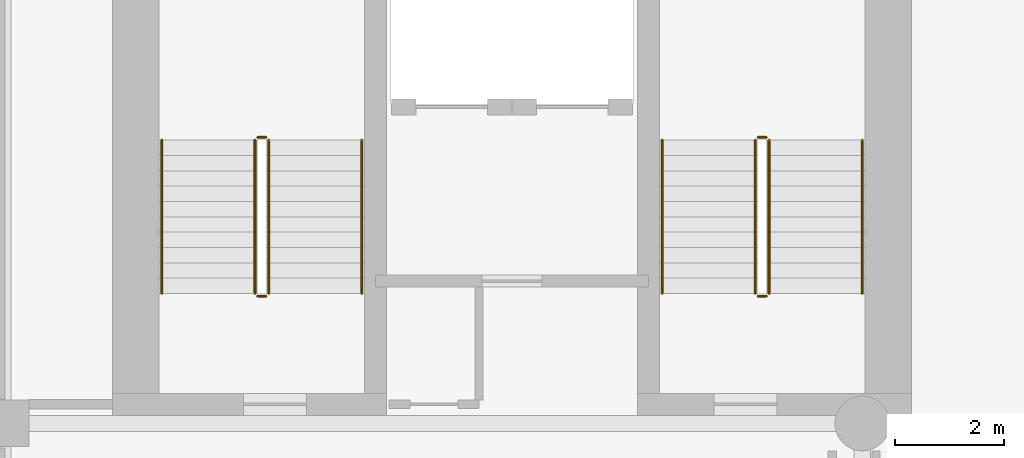
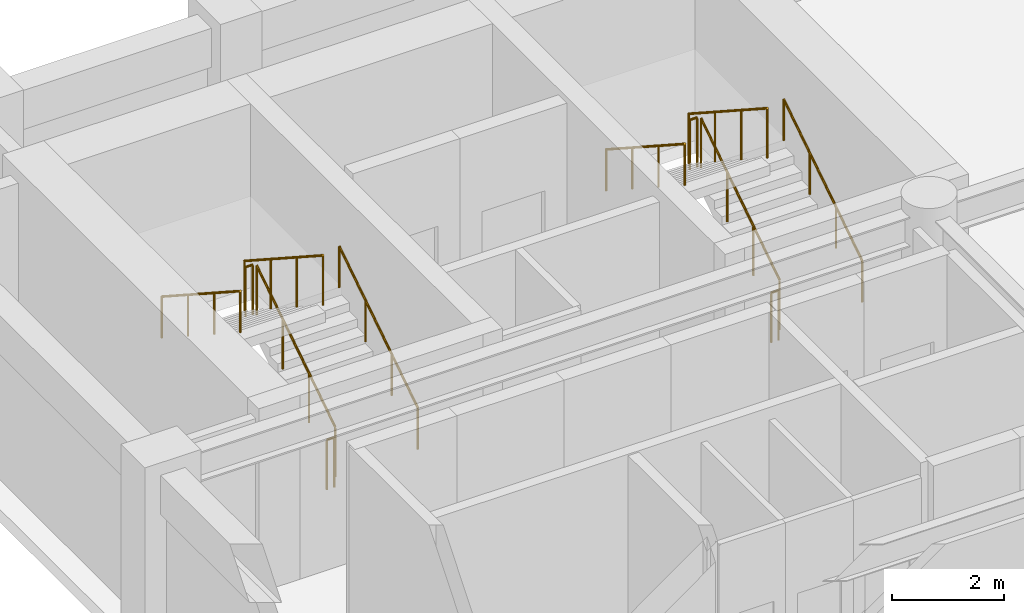
# One storey, part 7 of 8: 12 railings.
"""IFC4 building model written with IfcOpenShell, lengths in metres."""

import ifcopenshell
import ifcopenshell.guid

model = None  # the IFC model being written
_history = None  # IfcOwnerHistory: only IFC2X3 demands one
_inside = {}  # id of a spatial element -> (the spatial element, [elements in it])
_under = {}  # id of a project, library or spatial element -> (it, [spatial elements below it])
_declared = {}  # id of a project -> (the project, [libraries it declares])
_typed = {}  # id of a type object -> (the type object, [elements of that type])
_made_of = {}  # id of a material, layer set ... -> (it, [elements and type objects made of it])


def new_model(schema):
    """Start an empty IFC model of exactly this schema.

    Asked for "IFC4X3", IfcOpenShell would pick the latest addendum, in which some entities
    have other attributes; the version numbers below select the first issue.
    IFC2X3 requires an IfcOwnerHistory on every rooted entity: one is made here for all.
    """
    global model, _history
    if schema == "IFC4X3":
        model = ifcopenshell.file(schema_version=(4, 3, 0, 0))
    else:
        model = ifcopenshell.file(schema=schema)
    _inside.clear()
    _under.clear()
    _declared.clear()
    _typed.clear()
    _made_of.clear()
    _history = None
    if model.schema == "IFC2X3":
        org = make("IfcOrganization", Name="unknown")
        user = make(
            "IfcPersonAndOrganization",
            ThePerson=make("IfcPerson", FamilyName="unknown"),
            TheOrganization=org,
        )
        app = make(
            "IfcApplication",
            ApplicationDeveloper=org,
            Version="unknown",
            ApplicationFullName="unknown",
            ApplicationIdentifier="unknown",
        )
        _history = make(
            "IfcOwnerHistory",
            OwningUser=user,
            OwningApplication=app,
            ChangeAction="ADDED",
            CreationDate=0,
        )
    return model


def make(cls, **values):
    """One entity of the class cls with the attributes given. An attribute that is None is left unset."""
    return model.create_entity(
        cls, **{name: value for name, value in values.items() if value is not None}
    )


def rooted(cls, **values):
    """An entity with a GlobalId (a new one), such as an element, a storey or a relation."""
    return make(cls, GlobalId=ifcopenshell.guid.new(), OwnerHistory=_history, **values)


def si_unit(unit_type, name, prefix=None):
    """IfcSIUnit, for example si_unit("LENGTHUNIT", "METRE", prefix="MILLI")."""
    return make("IfcSIUnit", UnitType=unit_type, Prefix=prefix, Name=name)


def assignment(units):
    """IfcUnitAssignment: the units of a project."""
    return None if units is None else make("IfcUnitAssignment", Units=units)


def point(xyz):
    """IfcCartesianPoint."""
    return None if xyz is None else make("IfcCartesianPoint", Coordinates=xyz)


def direction(xyz):
    """IfcDirection."""
    return None if xyz is None else make("IfcDirection", DirectionRatios=xyz)


def frame(location, z_axis=None, x_axis=None):
    """IfcAxis2Placement3D, a coordinate frame: its origin and axes. An axis left out is left unset."""
    return make(
        "IfcAxis2Placement3D",
        Location=point(location),
        Axis=direction(z_axis),
        RefDirection=direction(x_axis),
    )


def frame_2d(location, x_axis=None):
    """IfcAxis2Placement2D, a coordinate frame in the plane: its origin and x axis."""
    return make(
        "IfcAxis2Placement2D", Location=point(location), RefDirection=direction(x_axis)
    )


def origin():
    """The frame at (0, 0, 0) with its axes left unset."""
    return frame((0.0, 0.0, 0.0))


def origin_2d():
    """The frame at (0, 0) in the plane with its x axis left unset."""
    return frame_2d((0.0, 0.0))


def place(relative_to, where):
    """IfcLocalPlacement: puts the frame where relative to a parent placement (None: the world)."""
    return make(
        "IfcLocalPlacement", PlacementRelTo=relative_to, RelativePlacement=where
    )


def context(
    kind, dimensions, precision=None, world=None, true_north=None, identifier=None
):
    """IfcGeometricRepresentationContext, for example the 3D "Model" context."""
    return make(
        "IfcGeometricRepresentationContext",
        ContextIdentifier=identifier,
        ContextType=kind,
        CoordinateSpaceDimension=dimensions,
        Precision=precision,
        WorldCoordinateSystem=world,
        TrueNorth=true_north,
    )


def subcontext(parent, identifier, kind, view, scale=None):
    """IfcGeometricRepresentationSubContext, for example "Body" below "Model"."""
    return make(
        "IfcGeometricRepresentationSubContext",
        ContextIdentifier=identifier,
        ContextType=kind,
        ParentContext=parent,
        TargetScale=scale,
        TargetView=view,
    )


def project(units=None, contexts=None):
    """IfcProject with its units and contexts."""
    return rooted(
        "IfcProject",
        Name="project",
        RepresentationContexts=contexts,
        UnitsInContext=assignment(units),
    )


def spatial(cls, under=None, at=None, **own):
    """A site, building, storey or space (cls), placed at a placement, below another one or the project."""
    s = rooted(cls, ObjectPlacement=at, **own)
    if under is not None:
        _under.setdefault(under.id(), (under, []))[1].append(s)
    return s


def profile(cls, at=None, kind="AREA", **sizes):
    """A parametric profile (cls). Its sizes go by their IFC names, for example OverallWidth=200.0."""
    return make(cls, ProfileType=kind, Position=at, **sizes)


def circle(**sizes):
    """IfcCircleProfileDef."""
    return profile("IfcCircleProfileDef", **sizes)


def extrude(swept, where, along, depth):
    """IfcExtrudedAreaSolid: the profile swept, set in the frame where, extruded along a direction by depth."""
    return make(
        "IfcExtrudedAreaSolid",
        SweptArea=swept,
        Position=where,
        ExtrudedDirection=direction(along),
        Depth=depth,
    )


def shape(context_of_items, identifier, shape_type, items):
    """IfcShapeRepresentation: the items that make up one representation, for example the "Body"."""
    return make(
        "IfcShapeRepresentation",
        ContextOfItems=context_of_items,
        RepresentationIdentifier=identifier,
        RepresentationType=shape_type,
        Items=items,
    )


def material(Name=None, Category=None):
    """IfcMaterial."""
    return make("IfcMaterial", Name=Name, Category=Category)


def made_of(thing, what):
    """Note that an element or type object is made of a material, layer set ...; save() writes the relation."""
    if what is not None:
        _made_of.setdefault(what.id(), (what, []))[1].append(thing)
    return thing


def type_object(cls, material=None, **own):
    """A type object (cls), such as IfcWallType, which elements share."""
    return made_of(rooted(cls, **own), material)


def element(
    cls,
    number,
    at=None,
    inside=None,
    cuts=None,
    type_object=None,
    material=None,
    context=None,
    identifier="Body",
    shape_type=None,
    held_by="IfcProductDefinitionShape",
    body=None,
    shapes=None,
    **own,
):
    """One element of the class cls, such as IfcWall. Its Tag is "e" and its number.

    at: its placement. inside: the storey or other place that contains it. cuts: it is an
    opening in that element (IfcRelVoidsElement). A single representation is given by context,
    identifier, shape_type and body (its items); several are given by shapes. held_by: the class
    of the entity that holds the representations. save() writes the other relations.
    """
    e = rooted(cls, Tag="e%d" % number, ObjectPlacement=at, **own)
    if body is not None:
        shapes = [shape(context, identifier, shape_type, body)]
    if shapes is not None:
        e.Representation = make(held_by, Representations=shapes)
    if inside is not None:
        _inside.setdefault(inside.id(), (inside, []))[1].append(e)
    if cuts is not None:
        rooted(
            "IfcRelVoidsElement", RelatingBuildingElement=cuts, RelatedOpeningElement=e
        )
    if type_object is not None:
        _typed.setdefault(type_object.id(), (type_object, []))[1].append(e)
    return made_of(e, material)


def aggregate(whole, parts):
    """IfcRelAggregates: a whole, such as a stair, and the parts it consists of."""
    return rooted("IfcRelAggregates", RelatingObject=whole, RelatedObjects=parts)


def save(model, path):
    """Write the relations noted so far, then the file.

    IfcRelAggregates (storeys below a building ...), IfcRelContainedInSpatialStructure (elements
    in a storey), IfcRelDefinesByType, IfcRelAssociatesMaterial and IfcRelDeclares: one each for
    every whole, place, type object, material and project.
    """
    for whole, parts in _under.values():
        aggregate(whole, parts)
    for where, things in _inside.values():
        rooted(
            "IfcRelContainedInSpatialStructure",
            RelatedElements=things,
            RelatingStructure=where,
        )
    for kind, things in _typed.values():
        rooted("IfcRelDefinesByType", RelatedObjects=things, RelatingType=kind)
    for what, things in _made_of.values():
        rooted("IfcRelAssociatesMaterial", RelatedObjects=things, RelatingMaterial=what)
    for by, libraries in _declared.values():
        rooted("IfcRelDeclares", RelatingContext=by, RelatedDefinitions=libraries)
    model.write(path)


model = new_model("IFC4")

# Units and contexts
model_context = context("Model", 3, precision=1e-05, world=origin(), true_north=direction((0.0, 1.0)))
body_context = subcontext(model_context, "Body", "Model", "MODEL_VIEW")
ifc_project = project(units=[si_unit("LENGTHUNIT", "METRE"), si_unit("AREAUNIT", "SQUARE_METRE"), si_unit("VOLUMEUNIT", "CUBIC_METRE"), si_unit("PLANEANGLEUNIT", "RADIAN"), si_unit("MASSUNIT", "GRAM", prefix="KILO")], contexts=[model_context])

# Site, building, storey
site_placement = place(None, origin())
site = spatial("IfcSite", under=ifc_project, at=site_placement, CompositionType="ELEMENT")
building_placement = place(site_placement, origin())
building = spatial("IfcBuilding", under=site, at=building_placement, Name="Sulina Concourse Tower", CompositionType="ELEMENT")
storey_placement = place(building_placement, frame((0.0, 0.0, 116.60009765625)))
storey = spatial("IfcBuildingStorey", under=building, at=storey_placement, Name="L28", CompositionType="ELEMENT", Elevation=116.60009765625)

# Railings
ifc_material_1 = material(Name="Galvanised steel railing", Category="steel")
railing_type_1 = type_object("IfcRailingType", Name="Core Stair Steel Guardrail 1150mm", PredefinedType="GUARDRAIL", material=ifc_material_1)
railing_1_placement = place(storey_placement, frame((5.554931640625, 36.375, 0.181640625)))
element("IfcRailing", 1, at=railing_1_placement, inside=storey, type_object=railing_type_1, Name="L28 ST-1 stair guard 1", PredefinedType="GUARDRAIL", context=body_context, shape_type="SweptSolid", body=[
    extrude(circle(Radius=0.02392578125, at=origin_2d()), frame((0.0, 0.0, 1.076171875), z_axis=(0.0, 0.838672427954, 0.544636170843), x_axis=(-1.0, 0.0, 0.0)), (0.0, 0.0, 1.0), 3.338623046875),
    extrude(circle(Radius=0.02099609375, at=origin_2d()), origin(), (0.0, 0.0, 1.0), 1.052001953125),
    extrude(circle(Radius=0.02099609375, at=origin_2d()), frame((0.0, 0.933349609375, 0.606201171875)), (0.0, 0.0, 1.0), 1.052001953125),
    extrude(circle(Radius=0.02099609375, at=origin_2d()), frame((0.0, 1.86669921875, 1.212158203125)), (0.0, 0.0, 1.0), 1.052001953125),
    extrude(circle(Radius=0.02099609375, at=origin_2d()), frame((0.0, 2.800048828125, 1.818359375)), (0.0, 0.0, 1.0), 1.052001953125),
])
railing_2_placement = place(storey_placement, frame((5.5048828125, 39.22509765625, 2.0)))
element("IfcRailing", 2, at=railing_2_placement, inside=storey, type_object=railing_type_1, Name="L28 ST-1 stair guard 2", PredefinedType="GUARDRAIL", context=body_context, shape_type="SweptSolid", body=[
    extrude(circle(Radius=0.02392578125, at=origin_2d()), frame((0.0, 0.0, 1.076171875), z_axis=(-1.0, 0.0, 0.0), x_axis=(0.0, -1.0, 0.0)), (0.0, 0.0, 1.0), 0.14990234375),
    extrude(circle(Radius=0.02099609375, at=origin_2d()), origin(), (0.0, 0.0, 1.0), 1.052001953125),
    extrude(circle(Radius=0.02099609375, at=origin_2d()), frame((-0.14990234375, 0.0, 0.0)), (0.0, 0.0, 1.0), 1.052001953125),
])
railing_3_placement = place(storey_placement, frame((5.304931640625, 39.175048828125, 2.181640625)))
element("IfcRailing", 3, at=railing_3_placement, inside=storey, type_object=railing_type_1, Name="L28 ST-1 stair guard 3", PredefinedType="GUARDRAIL", context=body_context, shape_type="SweptSolid", body=[
    extrude(circle(Radius=0.02392578125, at=origin_2d()), frame((0.0, 0.0, 1.076171875), z_axis=(0.0, -0.838672427954, 0.544636170843), x_axis=(1.0, 0.0, 0.0)), (0.0, 0.0, 1.0), 3.338623046875),
    extrude(circle(Radius=0.02099609375, at=origin_2d()), origin(), (0.0, 0.0, 1.0), 1.052001953125),
    extrude(circle(Radius=0.02099609375, at=origin_2d()), frame((0.0, -0.933349609375, 0.606201171875)), (0.0, 0.0, 1.0), 1.052001953125),
    extrude(circle(Radius=0.02099609375, at=origin_2d()), frame((0.0, -1.86669921875, 1.212158203125)), (0.0, 0.0, 1.0), 1.052001953125),
    extrude(circle(Radius=0.02099609375, at=origin_2d()), frame((0.0, -2.800048828125, 1.818359375)), (0.0, 0.0, 1.0), 1.052001953125),
])
railing_4_placement = place(storey_placement, frame((5.5048828125, 36.324951171875, 0.0)))
element("IfcRailing", 4, at=railing_4_placement, inside=storey, type_object=railing_type_1, Name="L28 ST-1 stair guard 4", PredefinedType="GUARDRAIL", context=body_context, shape_type="SweptSolid", body=[
    extrude(circle(Radius=0.02392578125, at=origin_2d()), frame((0.0, 0.0, 1.076171875), z_axis=(-1.0, 0.0, 0.0), x_axis=(0.0, -1.0, 0.0)), (0.0, 0.0, 1.0), 0.14990234375),
    extrude(circle(Radius=0.02099609375, at=origin_2d()), origin(), (0.0, 0.0, 1.0), 1.052001953125),
    extrude(circle(Radius=0.02099609375, at=origin_2d()), frame((-0.14990234375, 0.0, 0.0)), (0.0, 0.0, 1.0), 1.052001953125),
])
railing_5_placement = place(storey_placement, frame((14.695068359375, 36.375, 0.181640625)))
element("IfcRailing", 5, at=railing_5_placement, inside=storey, type_object=railing_type_1, Name="L28 ST-2 stair guard 1", PredefinedType="GUARDRAIL", context=body_context, shape_type="SweptSolid", body=[
    extrude(circle(Radius=0.02392578125, at=origin_2d()), frame((0.0, 0.0, 1.076171875), z_axis=(0.0, 0.838672427954, 0.544636170843), x_axis=(-1.0, 0.0, 0.0)), (0.0, 0.0, 1.0), 3.338623046875),
    extrude(circle(Radius=0.02099609375, at=origin_2d()), origin(), (0.0, 0.0, 1.0), 1.052001953125),
    extrude(circle(Radius=0.02099609375, at=origin_2d()), frame((0.0, 0.933349609375, 0.606201171875)), (0.0, 0.0, 1.0), 1.052001953125),
    extrude(circle(Radius=0.02099609375, at=origin_2d()), frame((0.0, 1.86669921875, 1.212158203125)), (0.0, 0.0, 1.0), 1.052001953125),
    extrude(circle(Radius=0.02099609375, at=origin_2d()), frame((0.0, 2.800048828125, 1.818359375)), (0.0, 0.0, 1.0), 1.052001953125),
])
railing_6_placement = place(storey_placement, frame((14.64501953125, 39.22509765625, 2.0)))
element("IfcRailing", 6, at=railing_6_placement, inside=storey, type_object=railing_type_1, Name="L28 ST-2 stair guard 2", PredefinedType="GUARDRAIL", context=body_context, shape_type="SweptSolid", body=[
    extrude(circle(Radius=0.02392578125, at=origin_2d()), frame((0.0, 0.0, 1.076171875), z_axis=(-1.0, 0.0, 0.0), x_axis=(0.0, -1.0, 0.0)), (0.0, 0.0, 1.0), 0.14990234375),
    extrude(circle(Radius=0.02099609375, at=origin_2d()), origin(), (0.0, 0.0, 1.0), 1.052001953125),
    extrude(circle(Radius=0.02099609375, at=origin_2d()), frame((-0.14990234375, 0.0, 0.0)), (0.0, 0.0, 1.0), 1.052001953125),
])
railing_7_placement = place(storey_placement, frame((14.445068359375, 39.175048828125, 2.181640625)))
element("IfcRailing", 7, at=railing_7_placement, inside=storey, type_object=railing_type_1, Name="L28 ST-2 stair guard 3", PredefinedType="GUARDRAIL", context=body_context, shape_type="SweptSolid", body=[
    extrude(circle(Radius=0.02392578125, at=origin_2d()), frame((0.0, 0.0, 1.076171875), z_axis=(0.0, -0.838672427954, 0.544636170843), x_axis=(1.0, 0.0, 0.0)), (0.0, 0.0, 1.0), 3.338623046875),
    extrude(circle(Radius=0.02099609375, at=origin_2d()), origin(), (0.0, 0.0, 1.0), 1.052001953125),
    extrude(circle(Radius=0.02099609375, at=origin_2d()), frame((0.0, -0.933349609375, 0.606201171875)), (0.0, 0.0, 1.0), 1.052001953125),
    extrude(circle(Radius=0.02099609375, at=origin_2d()), frame((0.0, -1.86669921875, 1.212158203125)), (0.0, 0.0, 1.0), 1.052001953125),
    extrude(circle(Radius=0.02099609375, at=origin_2d()), frame((0.0, -2.800048828125, 1.818359375)), (0.0, 0.0, 1.0), 1.052001953125),
])
railing_8_placement = place(storey_placement, frame((14.64501953125, 36.324951171875, 0.0)))
element("IfcRailing", 8, at=railing_8_placement, inside=storey, type_object=railing_type_1, Name="L28 ST-2 stair guard 4", PredefinedType="GUARDRAIL", context=body_context, shape_type="SweptSolid", body=[
    extrude(circle(Radius=0.02392578125, at=origin_2d()), frame((0.0, 0.0, 1.076171875), z_axis=(-1.0, 0.0, 0.0), x_axis=(0.0, -1.0, 0.0)), (0.0, 0.0, 1.0), 0.14990234375),
    extrude(circle(Radius=0.02099609375, at=origin_2d()), origin(), (0.0, 0.0, 1.0), 1.052001953125),
    extrude(circle(Radius=0.02099609375, at=origin_2d()), frame((-0.14990234375, 0.0, 0.0)), (0.0, 0.0, 1.0), 1.052001953125),
])
ifc_material_2 = material(Name="Galvanised steel railing", Category="steel")
railing_type_2 = type_object("IfcRailingType", Name="Stair Wall Steel Handrail 920mm", PredefinedType="HANDRAIL", material=ifc_material_2)
railing_9_placement = place(storey_placement, frame((7.2548828125, 36.375, 0.181640625)))
element("IfcRailing", 9, at=railing_9_placement, inside=storey, type_object=railing_type_2, Name="L28 ST-1 stair handrail 1", PredefinedType="HANDRAIL", context=body_context, shape_type="SweptSolid", body=[
    extrude(circle(Radius=0.02392578125, at=origin_2d()), frame((0.0, 0.0, 0.89599609375), z_axis=(0.0, 0.838672427954, 0.544636170843), x_axis=(-1.0, 0.0, 0.0)), (0.0, 0.0, 1.0), 3.338623046875),
    extrude(circle(Radius=0.02099609375, at=origin_2d()), origin(), (0.0, 0.0, 1.0), 0.871826171875),
    extrude(circle(Radius=0.02099609375, at=origin_2d()), frame((0.0, 0.933349609375, 0.606201171875)), (0.0, 0.0, 1.0), 0.871826171875),
    extrude(circle(Radius=0.02099609375, at=origin_2d()), frame((0.0, 1.86669921875, 1.212158203125)), (0.0, 0.0, 1.0), 0.871826171875),
    extrude(circle(Radius=0.02099609375, at=origin_2d()), frame((0.0, 2.800048828125, 1.818359375)), (0.0, 0.0, 1.0), 0.871826171875),
])
railing_10_placement = place(storey_placement, frame((3.60498046875, 39.175048828125, 2.181640625)))
element("IfcRailing", 10, at=railing_10_placement, inside=storey, type_object=railing_type_2, Name="L28 ST-1 stair handrail 2", PredefinedType="HANDRAIL", context=body_context, shape_type="SweptSolid", body=[
    extrude(circle(Radius=0.02392578125, at=origin_2d()), frame((0.0, 0.0, 0.89599609375), z_axis=(0.0, -0.838672427954, 0.544636170843), x_axis=(1.0, 0.0, 0.0)), (0.0, 0.0, 1.0), 3.338623046875),
    extrude(circle(Radius=0.02099609375, at=origin_2d()), origin(), (0.0, 0.0, 1.0), 0.871826171875),
    extrude(circle(Radius=0.02099609375, at=origin_2d()), frame((0.0, -0.933349609375, 0.606201171875)), (0.0, 0.0, 1.0), 0.871826171875),
    extrude(circle(Radius=0.02099609375, at=origin_2d()), frame((0.0, -1.86669921875, 1.212158203125)), (0.0, 0.0, 1.0), 0.871826171875),
    extrude(circle(Radius=0.02099609375, at=origin_2d()), frame((0.0, -2.800048828125, 1.818359375)), (0.0, 0.0, 1.0), 0.871826171875),
])
railing_11_placement = place(storey_placement, frame((16.39501953125, 36.375, 0.181640625)))
element("IfcRailing", 11, at=railing_11_placement, inside=storey, type_object=railing_type_2, Name="L28 ST-2 stair handrail 1", PredefinedType="HANDRAIL", context=body_context, shape_type="SweptSolid", body=[
    extrude(circle(Radius=0.02392578125, at=origin_2d()), frame((0.0, 0.0, 0.89599609375), z_axis=(0.0, 0.838672427954, 0.544636170843), x_axis=(-1.0, 0.0, 0.0)), (0.0, 0.0, 1.0), 3.338623046875),
    extrude(circle(Radius=0.02099609375, at=origin_2d()), origin(), (0.0, 0.0, 1.0), 0.871826171875),
    extrude(circle(Radius=0.02099609375, at=origin_2d()), frame((0.0, 0.933349609375, 0.606201171875)), (0.0, 0.0, 1.0), 0.871826171875),
    extrude(circle(Radius=0.02099609375, at=origin_2d()), frame((0.0, 1.86669921875, 1.212158203125)), (0.0, 0.0, 1.0), 0.871826171875),
    extrude(circle(Radius=0.02099609375, at=origin_2d()), frame((0.0, 2.800048828125, 1.818359375)), (0.0, 0.0, 1.0), 0.871826171875),
])
railing_12_placement = place(storey_placement, frame((12.7451171875, 39.175048828125, 2.181640625)))
element("IfcRailing", 12, at=railing_12_placement, inside=storey, type_object=railing_type_2, Name="L28 ST-2 stair handrail 2", PredefinedType="HANDRAIL", context=body_context, shape_type="SweptSolid", body=[
    extrude(circle(Radius=0.02392578125, at=origin_2d()), frame((0.0, 0.0, 0.89599609375), z_axis=(0.0, -0.838672427954, 0.544636170843), x_axis=(1.0, 0.0, 0.0)), (0.0, 0.0, 1.0), 3.338623046875),
    extrude(circle(Radius=0.02099609375, at=origin_2d()), origin(), (0.0, 0.0, 1.0), 0.871826171875),
    extrude(circle(Radius=0.02099609375, at=origin_2d()), frame((0.0, -0.933349609375, 0.606201171875)), (0.0, 0.0, 1.0), 0.871826171875),
    extrude(circle(Radius=0.02099609375, at=origin_2d()), frame((0.0, -1.86669921875, 1.212158203125)), (0.0, 0.0, 1.0), 0.871826171875),
    extrude(circle(Radius=0.02099609375, at=origin_2d()), frame((0.0, -2.800048828125, 1.818359375)), (0.0, 0.0, 1.0), 0.871826171875),
])

save(model, "model.ifc")
